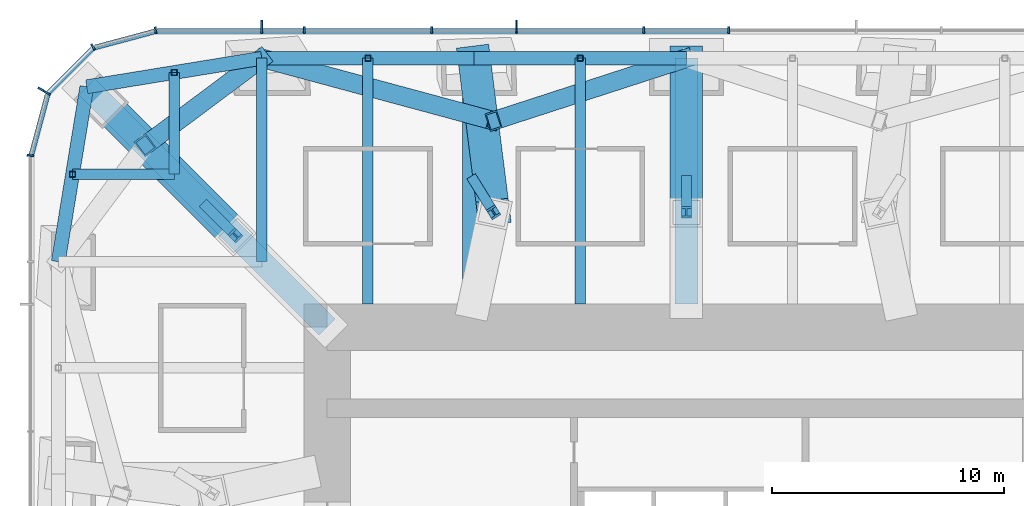
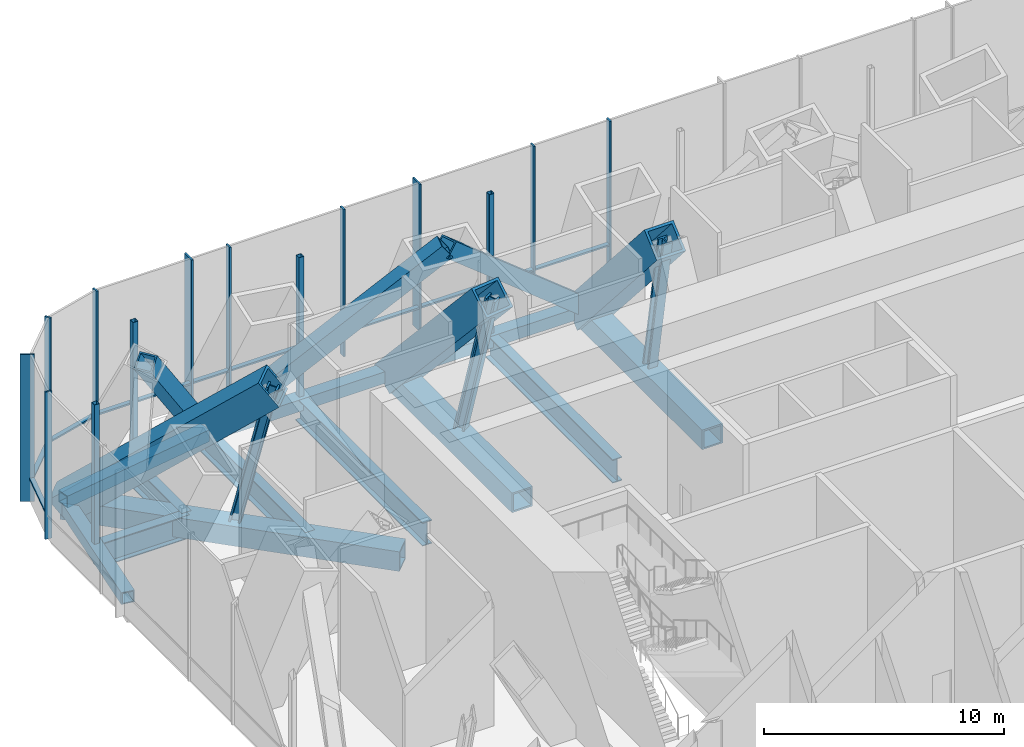
# One storey, part 7 of 16: 39 members, 5 beams, 3 elements without a shape of their own.
"""IFC4 building model written with IfcOpenShell, lengths in metres."""

from ifc_helpers import new_model, si_unit, direction, frame, origin, origin_2d, place, context, subcontext, project, spatial, rectangle, hollow_rectangle, i_section, extrude, material, material_profile, profile_set, type_object, element, aggregate, save


model = new_model("IFC4")

# Units and contexts
model_context = context("Model", 3, precision=1e-05, world=origin(), true_north=direction((0.0, 1.0)))
body_context = subcontext(model_context, "Body", "Model", "MODEL_VIEW")
ifc_project = project(units=[si_unit("LENGTHUNIT", "METRE"), si_unit("AREAUNIT", "SQUARE_METRE"), si_unit("VOLUMEUNIT", "CUBIC_METRE"), si_unit("PLANEANGLEUNIT", "RADIAN"), si_unit("MASSUNIT", "GRAM", prefix="KILO")], contexts=[model_context])

# Site, building, storey
site_placement = place(None, origin())
site = spatial("IfcSite", under=ifc_project, at=site_placement, CompositionType="ELEMENT")
building_placement = place(site_placement, origin())
building = spatial("IfcBuilding", under=site, at=building_placement, Name="Khuree Lantern Residences", CompositionType="ELEMENT")
storey_placement = place(building_placement, frame((0.0, 0.0, 192.0)))
storey = spatial("IfcBuildingStorey", under=building, at=storey_placement, Name="L48", CompositionType="ELEMENT", Elevation=192.0)

# Beams
ifc_material_1 = material(Name="Steel S355", Category="steel")
ifc_material_profile_1 = material_profile(ifc_material_1, i_section(OverallWidth=0.449951171875, OverallDepth=1.199951171875, WebThickness=0.02490234375, FlangeThickness=0.044921875, at=origin_2d()), Name="WELDED I 1200X450X25X45")
ifc_profile_set_1 = profile_set([ifc_material_profile_1], Name="Steel S355")
beam_type_1 = type_object("IfcBeamType", Name="B-48 SECONDARY BEAM WELDED I 1200X450X25X45", PredefinedType="BEAM", material=ifc_profile_set_1)
for number, where, z_axis, x_axis, name in (
    (1, (-13.739990234375, 27.10009765625, -0.949951171875), (0.0, -1.0, 0.0), (1.0, 0.0, 0.0), "Secondary beam N1"),
    (2, (-4.580078125, 27.10009765625, -0.949951171875), (0.0, -1.0, 0.0), (1.0, 0.0, 0.0), "Secondary beam N2"),
):
    element("IfcBeam", number, at=place(storey_placement, frame(where, z_axis=z_axis, x_axis=x_axis)), inside=storey, type_object=beam_type_1, Name=name, PredefinedType="BEAM", context=body_context, shape_type="SweptSolid", body=[
        extrude(i_section(OverallWidth=0.449951171875, OverallDepth=1.199951171875, WebThickness=0.02490234375, FlangeThickness=0.044921875, at=origin_2d()), origin(), (0.0, 0.0, 1.0), 10.60009765625),
    ])
for number, where, z_axis, x_axis, name in (
    (3, (-26.48486328125, 22.094970703125, -0.949951171875), (1.0, 0.0, 0.0), (0.0, 1.0, 0.0), "Secondary beam W6"),
    (4, (-22.094970703125, 26.48486328125, -0.949951171875), (0.0, -1.0, 0.0), (1.0, 0.0, 0.0), "Secondary beam N6"),
):
    element("IfcBeam", number, at=place(storey_placement, frame(where, z_axis=z_axis, x_axis=x_axis)), inside=storey, type_object=beam_type_1, Name=name, PredefinedType="BEAM", context=body_context, shape_type="SweptSolid", body=[
        extrude(i_section(OverallWidth=0.449951171875, OverallDepth=1.199951171875, WebThickness=0.02490234375, FlangeThickness=0.044921875, at=origin_2d()), origin(), (0.0, 0.0, 1.0), 4.389892578125),
    ])

# Members
ifc_material_profile_2 = material_profile(ifc_material_1, hollow_rectangle(XDim=0.800048828125, YDim=0.800048828125, WallThickness=0.070068359375, at=origin_2d()), Name="WELDED BOX 800X800X70")
ifc_profile_set_2 = profile_set([ifc_material_profile_2], Name="Steel S355")
member_type_1 = type_object("IfcMemberType", Name="BD-48 BELT TRUSS DIAGONAL WELDED BOX 800X800X70", PredefinedType="BRACE", material=ifc_profile_set_2)
member_1_placement = place(storey_placement, frame((-18.320068359375, 27.10009765625, -0.64990234375), z_axis=(0.778383779751, -0.210178823341, 0.591560270505), x_axis=(0.260683426993, 0.965424337217, 0.0)))
element("IfcMember", 5, at=member_1_placement, inside=storey, type_object=member_type_1, Name="Belt truss diagonal N1", PredefinedType="BRACE", context=body_context, shape_type="SweptSolid", body=[
    extrude(hollow_rectangle(XDim=0.800048828125, YDim=0.800048828125, WallThickness=0.070068359375, at=origin_2d()), origin(), (0.0, 0.0, 1.0), 12.84716796875),
])
member_2_placement = place(storey_placement, frame((-8.320068359375, 24.39990234375, 6.949951171875), z_axis=(0.718015094379, 0.233024646962, -0.655861142432), x_axis=(-0.308690344156, 0.951162589374, 0.0)))
element("IfcMember", 6, at=member_2_placement, inside=storey, type_object=member_type_1, Name="Belt truss diagonal N2", PredefinedType="BRACE", context=body_context, shape_type="SweptSolid", body=[
    extrude(hollow_rectangle(XDim=0.800048828125, YDim=0.800048828125, WallThickness=0.070068359375, at=origin_2d()), origin(), (0.0, 0.0, 1.0), 11.587646484375),
])
member_3_placement = place(storey_placement, frame((-23.345703125, 23.345703125, 6.949951171875), z_axis=(0.509986139158, 0.380984544473, -0.771210032832), x_axis=(-0.598485782825, 0.801133426938, 0.0)))
element("IfcMember", 7, at=member_3_placement, inside=storey, type_object=member_type_1, Name="Belt truss diagonal N6", PredefinedType="BRACE", context=body_context, shape_type="SweptSolid", body=[
    extrude(hollow_rectangle(XDim=0.800048828125, YDim=0.800048828125, WallThickness=0.070068359375, at=origin_2d()), origin(), (0.0, 0.0, 1.0), 9.8544921875),
])
ifc_material_profile_3 = material_profile(ifc_material_1, hollow_rectangle(XDim=0.60009765625, YDim=0.60009765625, WallThickness=0.050048828125, at=origin_2d()), Name="WELDED BOX 600X600X50")
ifc_profile_set_3 = profile_set([ifc_material_profile_3], Name="Steel S355")
member_type_2 = type_object("IfcMemberType", Name="BT-48 BELT TRUSS CHORD WELDED BOX 600X600X50", PredefinedType="CHORD", material=ifc_profile_set_3)
member_4_placement = place(storey_placement, frame((-18.320068359375, 27.10009765625, -0.64990234375), z_axis=(1.0, 0.0, 0.0), x_axis=(0.0, 1.0, 0.0)))
element("IfcMember", 8, at=member_4_placement, inside=storey, type_object=member_type_2, Name="Belt truss chord N1", PredefinedType="CHORD", context=body_context, shape_type="SweptSolid", body=[
    extrude(hollow_rectangle(XDim=0.60009765625, YDim=0.60009765625, WallThickness=0.050048828125, at=origin_2d()), origin(), (0.0, 0.0, 1.0), 9.16015625),
])
member_5_placement = place(storey_placement, frame((-9.159912109375, 27.10009765625, -0.64990234375), z_axis=(1.0, 0.0, 0.0), x_axis=(0.0, 1.0, 0.0)))
element("IfcMember", 9, at=member_5_placement, inside=storey, type_object=member_type_2, Name="Belt truss chord N2", PredefinedType="CHORD", context=body_context, shape_type="SweptSolid", body=[
    extrude(hollow_rectangle(XDim=0.60009765625, YDim=0.60009765625, WallThickness=0.050048828125, at=origin_2d()), origin(), (0.0, 0.0, 1.0), 9.159912109375),
])
for number, where, z_axis, x_axis, name in (
    (10, (-27.10009765625, 18.320068359375, -0.64990234375), (0.160826723833, 0.986982656839, 0.0), (-0.986982656839, 0.160826723833, 0.0), "Belt truss chord W6"),
    (11, (-25.869873046875, 25.869873046875, -0.64990234375), (0.986982656839, 0.160826723833, 0.0), (-0.160826723833, 0.986982656839, 0.0), "Belt truss chord N6"),
):
    element("IfcMember", number, at=place(storey_placement, frame(where, z_axis=z_axis, x_axis=x_axis)), inside=storey, type_object=member_type_2, Name=name, PredefinedType="CHORD", context=body_context, shape_type="SweptSolid", body=[
        extrude(hollow_rectangle(XDim=0.60009765625, YDim=0.60009765625, WallThickness=0.050048828125, at=origin_2d()), origin(), (0.0, 0.0, 1.0), 7.6494140625),
    ])

# Curtain wall, members
ifc_material_2 = material(Name="Bronze anodised aluminium", Category="aluminium")
curtain_wall_type = type_object("IfcCurtainWallType", Name="CW-G PLANT STOREY LOUVRED CURTAIN WALL", PredefinedType="USERDEFINED", material=ifc_material_2)
curtain_wall_1_placement = place(storey_placement, origin())
curtain_wall_1 = element("IfcCurtainWall", 12, at=curtain_wall_1_placement, inside=storey, type_object=curtain_wall_type, Name="L48 NORTH FACE CURTAIN WALL", ObjectType="Louvred curtain wall", PredefinedType="USERDEFINED")
ifc_material_profile_4 = material_profile(ifc_material_2, rectangle(XDim=0.080078125, YDim=0.60009765625, at=origin_2d()), Name="F2 80X600")
ifc_profile_set_4 = profile_set([ifc_material_profile_4], Name="Bronze anodised aluminium")
member_type_3 = type_object("IfcMemberType", Name="F2 BRONZE FIN MULLION PLANT 80X600", PredefinedType="MULLION", material=ifc_profile_set_4)
member_6_placement = place(storey_placement, frame((-7.327880859375, 28.449951171875, 0.0), z_axis=(0.0, 0.0, 1.0), x_axis=(-1.0, 0.0, 0.0)))
member_6 = element("IfcMember", 13, at=member_6_placement, type_object=member_type_3, Name="L48 NORTH FACE FIN MULLION 25", PredefinedType="MULLION", context=body_context, shape_type="SweptSolid", body=[
    extrude(rectangle(XDim=0.080078125, YDim=0.60009765625, at=origin_2d()), origin(), (0.0, 0.0, 1.0), 7.5),
])
member_7_placement = place(storey_placement, frame((-18.320068359375, 28.449951171875, 0.0), z_axis=(0.0, 0.0, 1.0), x_axis=(-1.0, 0.0, 0.0)))
member_7 = element("IfcMember", 14, at=member_7_placement, type_object=member_type_3, Name="L48 NORTH FACE FIN MULLION 28", PredefinedType="MULLION", context=body_context, shape_type="SweptSolid", body=[
    extrude(rectangle(XDim=0.080078125, YDim=0.60009765625, at=origin_2d()), origin(), (0.0, 0.0, 1.0), 7.5),
])

# Curtain wall, member
curtain_wall_2_placement = place(storey_placement, origin())
curtain_wall_2 = element("IfcCurtainWall", 15, at=curtain_wall_2_placement, inside=storey, type_object=curtain_wall_type, Name="L48 NORTH-WEST CORNER CURTAIN WALL", ObjectType="Louvred curtain wall", PredefinedType="USERDEFINED")
member_8_placement = place(storey_placement, frame((-27.70654296875, 25.675048828125, 0.0), z_axis=(0.0, 0.0, 1.0), x_axis=(-0.500000026995, -0.866025388199, 0.0)))
member_8 = element("IfcMember", 16, at=member_8_placement, type_object=member_type_3, Name="L48 NORTH-WEST CORNER FIN MULLION 31", PredefinedType="MULLION", context=body_context, shape_type="SweptSolid", body=[
    extrude(rectangle(XDim=0.080078125, YDim=0.60009765625, at=origin_2d()), origin(), (0.0, 0.0, 1.0), 7.5),
])

# Beam
ifc_material_profile_5 = material_profile(ifc_material_1, i_section(OverallWidth=0.449951171875, OverallDepth=1.199951171875, WebThickness=0.02490234375, FlangeThickness=0.044921875, at=origin_2d()), Name="WELDED I 1200X450X25X45")
ifc_profile_set_5 = profile_set([ifc_material_profile_5], Name="Steel S355")
beam_type_2 = type_object("IfcBeamType", Name="G-48 GIRDER WELDED I 1200X450X25X45", PredefinedType="BEAM", material=ifc_profile_set_5)
beam_placement = place(storey_placement, frame((-18.320068359375, 27.10009765625, -0.949951171875), z_axis=(0.0, -1.0, 0.0), x_axis=(1.0, 0.0, 0.0)))
element("IfcBeam", 17, at=beam_placement, inside=storey, type_object=beam_type_2, Name="Girder N1", PredefinedType="BEAM", context=body_context, shape_type="SweptSolid", body=[
    extrude(i_section(OverallWidth=0.449951171875, OverallDepth=1.199951171875, WebThickness=0.02490234375, FlangeThickness=0.044921875, at=origin_2d()), origin(), (0.0, 0.0, 1.0), 8.780029296875),
])

# Member
ifc_material_profile_6 = material_profile(ifc_material_2, rectangle(XDim=0.080078125, YDim=0.300048828125, at=origin_2d()), Name="M2 80X300")
ifc_profile_set_6 = profile_set([ifc_material_profile_6], Name="Bronze anodised aluminium")
member_type_4 = type_object("IfcMemberType", Name="MULLION M2 PLANT 80X300", PredefinedType="MULLION", material=ifc_profile_set_6)
member_9_placement = place(storey_placement, frame((1.83203125, 28.300048828125, 0.0), z_axis=(0.0, 0.0, 1.0), x_axis=(-1.0, 0.0, 0.0)))
member_9 = element("IfcMember", 18, at=member_9_placement, type_object=member_type_4, Name="L48 NORTH FACE MULLION 23", PredefinedType="MULLION", context=body_context, shape_type="SweptSolid", body=[
    extrude(rectangle(XDim=0.080078125, YDim=0.300048828125, at=origin_2d()), origin(), (0.0, 0.0, 1.0), 7.5),
])

member_10_placement = place(storey_placement, frame((-1.83203125, 28.300048828125, 0.0), z_axis=(0.0, 0.0, 1.0), x_axis=(-1.0, 0.0, 0.0)))
member_10 = element("IfcMember", 19, at=member_10_placement, type_object=member_type_4, Name="L48 NORTH FACE MULLION 24", PredefinedType="MULLION", context=body_context, shape_type="SweptSolid", body=[
    extrude(rectangle(XDim=0.080078125, YDim=0.300048828125, at=origin_2d()), origin(), (0.0, 0.0, 1.0), 7.5),
])

member_11_placement = place(storey_placement, frame((-10.991943359375, 28.300048828125, 0.0), z_axis=(0.0, 0.0, 1.0), x_axis=(-1.0, 0.0, 0.0)))
member_11 = element("IfcMember", 20, at=member_11_placement, type_object=member_type_4, Name="L48 NORTH FACE MULLION 26", PredefinedType="MULLION", context=body_context, shape_type="SweptSolid", body=[
    extrude(rectangle(XDim=0.080078125, YDim=0.300048828125, at=origin_2d()), origin(), (0.0, 0.0, 1.0), 7.5),
])

member_12_placement = place(storey_placement, frame((-16.488037109375, 28.300048828125, 0.0), z_axis=(0.0, 0.0, 1.0), x_axis=(-1.0, 0.0, 0.0)))
member_12 = element("IfcMember", 21, at=member_12_placement, type_object=member_type_4, Name="L48 NORTH FACE MULLION 27", PredefinedType="MULLION", context=body_context, shape_type="SweptSolid", body=[
    extrude(rectangle(XDim=0.080078125, YDim=0.300048828125, at=origin_2d()), origin(), (0.0, 0.0, 1.0), 7.5),
])

member_13_placement = place(storey_placement, frame((-22.900146484375, 28.30126953125, 0.0), z_axis=(0.0, 0.0, 1.0), x_axis=(-0.991444857305, -0.130526223125, 0.0)))
member_13 = element("IfcMember", 22, at=member_13_placement, type_object=member_type_4, Name="L48 NORTH-WEST CORNER MULLION 29", PredefinedType="MULLION", context=body_context, shape_type="SweptSolid", body=[
    extrude(rectangle(XDim=0.080078125, YDim=0.300048828125, at=origin_2d()), origin(), (0.0, 0.0, 1.0), 7.5),
])

member_14_placement = place(storey_placement, frame((-25.60009765625, 27.576416015625, 0.0), z_axis=(0.0, 0.0, 1.0), x_axis=(-0.866025388199, -0.500000026995, 0.0)))
member_14 = element("IfcMember", 23, at=member_14_placement, type_object=member_type_4, Name="L48 NORTH-WEST CORNER MULLION 30", PredefinedType="MULLION", context=body_context, shape_type="SweptSolid", body=[
    extrude(rectangle(XDim=0.080078125, YDim=0.300048828125, at=origin_2d()), origin(), (0.0, 0.0, 1.0), 7.5),
])

# Curtain wall, member
curtain_wall_3_placement = place(storey_placement, origin())
curtain_wall_3 = element("IfcCurtainWall", 24, at=curtain_wall_3_placement, inside=storey, type_object=curtain_wall_type, Name="L48 WEST FACE CURTAIN WALL", ObjectType="Louvred curtain wall", PredefinedType="USERDEFINED")
member_15_placement = place(storey_placement, frame((-28.30126953125, 22.900146484375, 0.0), z_axis=(0.0, 0.0, 1.0), x_axis=(-0.130526223125, -0.991444857305, 0.0)))
member_15 = element("IfcMember", 25, at=member_15_placement, type_object=member_type_4, Name="L48 WEST FACE MULLION 32", PredefinedType="MULLION", context=body_context, shape_type="SweptSolid", body=[
    extrude(rectangle(XDim=0.080078125, YDim=0.300048828125, at=origin_2d()), origin(), (0.0, 0.0, 1.0), 7.5),
])
aggregate(curtain_wall_3, [member_15])

# Members
ifc_material_profile_7 = material_profile(ifc_material_1, hollow_rectangle(XDim=1.39990234375, YDim=1.39990234375, WallThickness=0.1201171875, at=origin_2d()), Name="WELDED BOX 1400X1400X120")
ifc_profile_set_7 = profile_set([ifc_material_profile_7], Name="Steel S355")
member_type_5 = type_object("IfcMemberType", Name="OD-48 OUTRIGGER TRUSS DIAGONAL WELDED BOX 1400X1400X120", PredefinedType="BRACE", material=ifc_profile_set_7)
member_16_placement = place(storey_placement, frame((-19.4560546875, 19.4560546875, 6.75), z_axis=(-0.541997649292, 0.541997649292, -0.642243798198), x_axis=(-0.707106781187, -0.707106781187, 0.0)))
element("IfcMember", 26, at=member_16_placement, inside=storey, type_object=member_type_5, Name="Outrigger diagonal NW column side", PredefinedType="BRACE", context=body_context, shape_type="SweptSolid", body=[
    extrude(hollow_rectangle(XDim=1.39990234375, YDim=1.39990234375, WallThickness=0.1201171875, at=origin_2d()), origin(), (0.0, 0.0, 1.0), 11.833740234375),
])
member_17_placement = place(storey_placement, frame((-8.320068359375, 20.449951171875, 6.75), z_axis=(-0.082876562959, 0.656242644896, -0.749984710732), x_axis=(-0.992119618756, -0.125294301866, 0.0)))
element("IfcMember", 27, at=member_17_placement, inside=storey, type_object=member_type_5, Name="Outrigger diagonal N2 column side", PredefinedType="BRACE", context=body_context, shape_type="SweptSolid", body=[
    extrude(hollow_rectangle(XDim=1.39990234375, YDim=1.39990234375, WallThickness=0.1201171875, at=origin_2d()), origin(), (0.0, 0.0, 1.0), 10.1337890625),
])
member_18_placement = place(storey_placement, frame((0.0, 20.449951171875, 6.75), z_axis=(0.0, 0.658508030898, -0.752573699543), x_axis=(-1.0, 0.0, 0.0)))
element("IfcMember", 28, at=member_18_placement, inside=storey, type_object=member_type_5, Name="Outrigger diagonal N3 column side", PredefinedType="BRACE", context=body_context, shape_type="SweptSolid", body=[
    extrude(hollow_rectangle(XDim=1.39990234375, YDim=1.39990234375, WallThickness=0.1201171875, at=origin_2d()), origin(), (0.0, 0.0, 1.0), 10.098876953125),
])
ifc_material_profile_8 = material_profile(ifc_material_1, i_section(OverallWidth=0.431884765625, OverallDepth=0.498046875, WebThickness=0.0556640625, FlangeThickness=0.0888671875, FilletRadius=0.014892578125, at=origin_2d()), Name="HD 400X744")
ifc_profile_set_8 = profile_set([ifc_material_profile_8], Name="Steel S355")
member_type_6 = type_object("IfcMemberType", Name="OP-48 OUTRIGGER TRUSS POST HD 400X744", PredefinedType="POST", material=ifc_profile_set_8)
member_19_placement = place(storey_placement, frame((-20.684814453125, 20.684814453125, -0.85009765625), z_axis=(0.15760950286, -0.15760950286, 0.97484280231), x_axis=(0.707106781187, 0.707106781187, 0.0)))
element("IfcMember", 29, at=member_19_placement, inside=storey, type_object=member_type_6, Name="Outrigger post NW", PredefinedType="POST", context=body_context, shape_type="SweptSolid", body=[
    extrude(i_section(OverallWidth=0.431884765625, OverallDepth=0.498046875, WebThickness=0.0556640625, FlangeThickness=0.0888671875, FilletRadius=0.014892578125, at=origin_2d()), origin(), (0.0, 0.0, 1.0), 7.796142578125),
])
member_20_placement = place(storey_placement, frame((-9.159912109375, 21.800048828125, -0.85009765625), z_axis=(0.108162656539, -0.173877758914, 0.978809156417), x_axis=(0.849117820297, 0.528203490384, 0.0)))
element("IfcMember", 30, at=member_20_placement, inside=storey, type_object=member_type_6, Name="Outrigger post N2", PredefinedType="POST", context=body_context, shape_type="SweptSolid", body=[
    extrude(i_section(OverallWidth=0.431884765625, OverallDepth=0.498046875, WebThickness=0.0556640625, FlangeThickness=0.0888671875, FilletRadius=0.014892578125, at=origin_2d()), origin(), (0.0, 0.0, 1.0), 7.7646484375),
])
member_21_placement = place(storey_placement, frame((0.0, 21.800048828125, -0.85009765625), z_axis=(0.0, -0.174903883222, 0.984585512606), x_axis=(1.0, 0.0, 0.0)))
element("IfcMember", 31, at=member_21_placement, inside=storey, type_object=member_type_6, Name="Outrigger post N3", PredefinedType="POST", context=body_context, shape_type="SweptSolid", body=[
    extrude(i_section(OverallWidth=0.431884765625, OverallDepth=0.498046875, WebThickness=0.0556640625, FlangeThickness=0.0888671875, FilletRadius=0.014892578125, at=origin_2d()), origin(), (0.0, 0.0, 1.0), 7.718994140625),
])
ifc_material_profile_9 = material_profile(ifc_material_1, hollow_rectangle(XDim=1.0, YDim=1.0, WallThickness=0.080078125, at=origin_2d()), Name="WELDED BOX 1000X1000X80")
ifc_profile_set_9 = profile_set([ifc_material_profile_9], Name="Steel S355")
member_type_7 = type_object("IfcMemberType", Name="OT-48 OUTRIGGER TRUSS CHORD WELDED BOX 1000X1000X80", PredefinedType="CHORD", material=ifc_profile_set_9)
for number, where, z_axis, x_axis, name in (
    (32, (-9.159912109375, 27.10009765625, -0.85009765625), (0.0, -1.0, 0.0), (1.0, 0.0, 0.0), "Outrigger chord N2"),
    (33, (0.0, 27.10009765625, -0.85009765625), (0.0, -1.0, 0.0), (1.0, 0.0, 0.0), "Outrigger chord N3"),
):
    element("IfcMember", number, at=place(storey_placement, frame(where, z_axis=z_axis, x_axis=x_axis)), inside=storey, type_object=member_type_7, Name=name, PredefinedType="CHORD", context=body_context, shape_type="SweptSolid", body=[
        extrude(hollow_rectangle(XDim=1.0, YDim=1.0, WallThickness=0.080078125, at=origin_2d()), origin(), (0.0, 0.0, 1.0), 10.60009765625),
    ])
member_22_placement = place(storey_placement, frame((-25.869873046875, 25.869873046875, -0.85009765625), z_axis=(0.707106781187, -0.707106781187, 0.0), x_axis=(0.707106781187, 0.707106781187, 0.0)))
element("IfcMember", 34, at=member_22_placement, inside=storey, type_object=member_type_7, Name="Outrigger chord NW", PredefinedType="CHORD", context=body_context, shape_type="SweptSolid", body=[
    extrude(hollow_rectangle(XDim=1.0, YDim=1.0, WallThickness=0.080078125, at=origin_2d()), origin(), (0.0, 0.0, 1.0), 14.665283203125),
])
ifc_material_profile_10 = material_profile(ifc_material_1, hollow_rectangle(XDim=0.25, YDim=0.25, WallThickness=0.012451171875, InnerFilletRadius=0.012451171875, OuterFilletRadius=0.018798828125, at=origin_2d()), Name="SHS 250X250X12.5")
ifc_profile_set_10 = profile_set([ifc_material_profile_10], Name="Steel S355")
member_type_8 = type_object("IfcMemberType", Name="TP1 TERRACE POST SHS 250X250X12.5", PredefinedType="POST", material=ifc_profile_set_10)
for number, where, z_axis, x_axis, name in (
    (35, (-13.739990234375, 27.10009765625, -0.35009765625), (0.0, 0.0, 1.0), (1.0, 0.0, 0.0), "Terrace post N1"),
    (36, (-4.580078125, 27.10009765625, -0.35009765625), (0.0, 0.0, 1.0), (1.0, 0.0, 0.0), "Terrace post N2"),
    (37, (-26.48486328125, 22.094970703125, -0.35009765625), (0.0, 0.0, 1.0), (1.0, 0.0, 0.0), "Terrace post W6"),
    (38, (-22.094970703125, 26.48486328125, -0.35009765625), (0.0, 0.0, 1.0), (1.0, 0.0, 0.0), "Terrace post N6"),
):
    element("IfcMember", number, at=place(storey_placement, frame(where, z_axis=z_axis, x_axis=x_axis)), inside=storey, type_object=member_type_8, Name=name, PredefinedType="POST", context=body_context, shape_type="SweptSolid", body=[
        extrude(hollow_rectangle(XDim=0.25, YDim=0.25, WallThickness=0.012451171875, InnerFilletRadius=0.012451171875, OuterFilletRadius=0.018798828125, at=origin_2d()), origin(), (0.0, 0.0, 1.0), 7.10009765625),
    ])

# Member
ifc_material_profile_11 = material_profile(ifc_material_2, rectangle(XDim=0.219970703125, YDim=0.080078125, at=origin_2d()), Name="T2 220X80")
ifc_profile_set_11 = profile_set([ifc_material_profile_11], Name="Bronze anodised aluminium")
member_type_9 = type_object("IfcMemberType", Name="TRANSOM T2 PLANT 220X80", PredefinedType="USERDEFINED", material=ifc_profile_set_11)
member_23_placement = place(storey_placement, frame((1.7919921875, 28.27001953125, 1.199951171875), z_axis=(-1.0, 0.0, 0.0), x_axis=(0.0, -1.0, 0.0)))
member_23 = element("IfcMember", 39, at=member_23_placement, type_object=member_type_9, Name="L48 NORTH FACE TRANSOM 23.1", ObjectType="Transom", PredefinedType="USERDEFINED", context=body_context, shape_type="SweptSolid", body=[
    extrude(rectangle(XDim=0.219970703125, YDim=0.080078125, at=origin_2d()), origin(), (0.0, 0.0, 1.0), 3.583984375),
])

member_24_placement = place(storey_placement, frame((-1.8720703125, 28.27001953125, 1.199951171875), z_axis=(-1.0, 0.0, 0.0), x_axis=(0.0, -1.0, 0.0)))
member_24 = element("IfcMember", 40, at=member_24_placement, type_object=member_type_9, Name="L48 NORTH FACE TRANSOM 24.1", ObjectType="Transom", PredefinedType="USERDEFINED", context=body_context, shape_type="SweptSolid", body=[
    extrude(rectangle(XDim=0.219970703125, YDim=0.080078125, at=origin_2d()), origin(), (0.0, 0.0, 1.0), 5.416015625),
])

member_25_placement = place(storey_placement, frame((-7.367919921875, 28.27001953125, 1.199951171875), z_axis=(-1.0, 0.0, 0.0), x_axis=(0.0, -1.0, 0.0)))
member_25 = element("IfcMember", 41, at=member_25_placement, type_object=member_type_9, Name="L48 NORTH FACE TRANSOM 25.1", ObjectType="Transom", PredefinedType="USERDEFINED", context=body_context, shape_type="SweptSolid", body=[
    extrude(rectangle(XDim=0.219970703125, YDim=0.080078125, at=origin_2d()), origin(), (0.0, 0.0, 1.0), 3.583984375),
])

member_26_placement = place(storey_placement, frame((-11.031982421875, 28.27001953125, 1.199951171875), z_axis=(-1.0, 0.0, 0.0), x_axis=(0.0, -1.0, 0.0)))
member_26 = element("IfcMember", 42, at=member_26_placement, type_object=member_type_9, Name="L48 NORTH FACE TRANSOM 26.1", ObjectType="Transom", PredefinedType="USERDEFINED", context=body_context, shape_type="SweptSolid", body=[
    extrude(rectangle(XDim=0.219970703125, YDim=0.080078125, at=origin_2d()), origin(), (0.0, 0.0, 1.0), 5.416015625),
])

member_27_placement = place(storey_placement, frame((-16.528076171875, 28.27001953125, 1.199951171875), z_axis=(-1.0, 0.0, 0.0), x_axis=(0.0, -1.0, 0.0)))
member_27 = element("IfcMember", 43, at=member_27_placement, type_object=member_type_9, Name="L48 NORTH FACE TRANSOM 27.1", ObjectType="Transom", PredefinedType="USERDEFINED", context=body_context, shape_type="SweptSolid", body=[
    extrude(rectangle(XDim=0.219970703125, YDim=0.080078125, at=origin_2d()), origin(), (0.0, 0.0, 1.0), 1.751953125),
])

member_28_placement = place(storey_placement, frame((-18.360107421875, 28.27001953125, 1.199951171875), z_axis=(-1.0, 0.0, 0.0), x_axis=(0.0, -1.0, 0.0)))
member_28 = element("IfcMember", 44, at=member_28_placement, type_object=member_type_9, Name="L48 NORTH FACE TRANSOM 28.1", ObjectType="Transom", PredefinedType="USERDEFINED", context=body_context, shape_type="SweptSolid", body=[
    extrude(rectangle(XDim=0.219970703125, YDim=0.080078125, at=origin_2d()), origin(), (0.0, 0.0, 1.0), 4.481201171875),
])

aggregate(curtain_wall_1, [member_9, member_10, member_6, member_11, member_12, member_7, member_23, member_24, member_25, member_26, member_27, member_28])

member_29_placement = place(storey_placement, frame((-22.948974609375, 28.255859375, 1.199951171875), z_axis=(-0.965921820728, -0.258833993596, 0.0), x_axis=(0.258833993596, -0.965921820728, 0.0)))
member_29 = element("IfcMember", 45, at=member_29_placement, type_object=member_type_9, Name="L48 NORTH-WEST CORNER TRANSOM 29.1", ObjectType="Transom", PredefinedType="USERDEFINED", context=body_context, shape_type="SweptSolid", body=[
    extrude(rectangle(XDim=0.219970703125, YDim=0.080078125, at=origin_2d()), origin(), (0.0, 0.0, 1.0), 2.658935546875),
])

member_30_placement = place(storey_placement, frame((-25.633544921875, 27.50048828125, 1.199951171875), z_axis=(-0.707106781187, -0.707106781187, 0.0), x_axis=(0.707106781187, -0.707106781187, 0.0)))
member_30 = element("IfcMember", 46, at=member_30_placement, type_object=member_type_9, Name="L48 NORTH-WEST CORNER TRANSOM 30.1", ObjectType="Transom", PredefinedType="USERDEFINED", context=body_context, shape_type="SweptSolid", body=[
    extrude(rectangle(XDim=0.219970703125, YDim=0.080078125, at=origin_2d()), origin(), (0.0, 0.0, 1.0), 2.64013671875),
])

member_31_placement = place(storey_placement, frame((-27.567626953125, 25.517333984375, 1.199951171875), z_axis=(-0.258833993596, -0.965921820728, 0.0), x_axis=(0.965921820728, -0.258833993596, 0.0)))
member_31 = element("IfcMember", 47, at=member_31_placement, type_object=member_type_9, Name="L48 NORTH-WEST CORNER TRANSOM 31.1", ObjectType="Transom", PredefinedType="USERDEFINED", context=body_context, shape_type="SweptSolid", body=[
    extrude(rectangle(XDim=0.219970703125, YDim=0.080078125, at=origin_2d()), origin(), (0.0, 0.0, 1.0), 2.658935546875),
])

aggregate(curtain_wall_2, [member_13, member_14, member_8, member_29, member_30, member_31])

save(model, "model.ifc")
